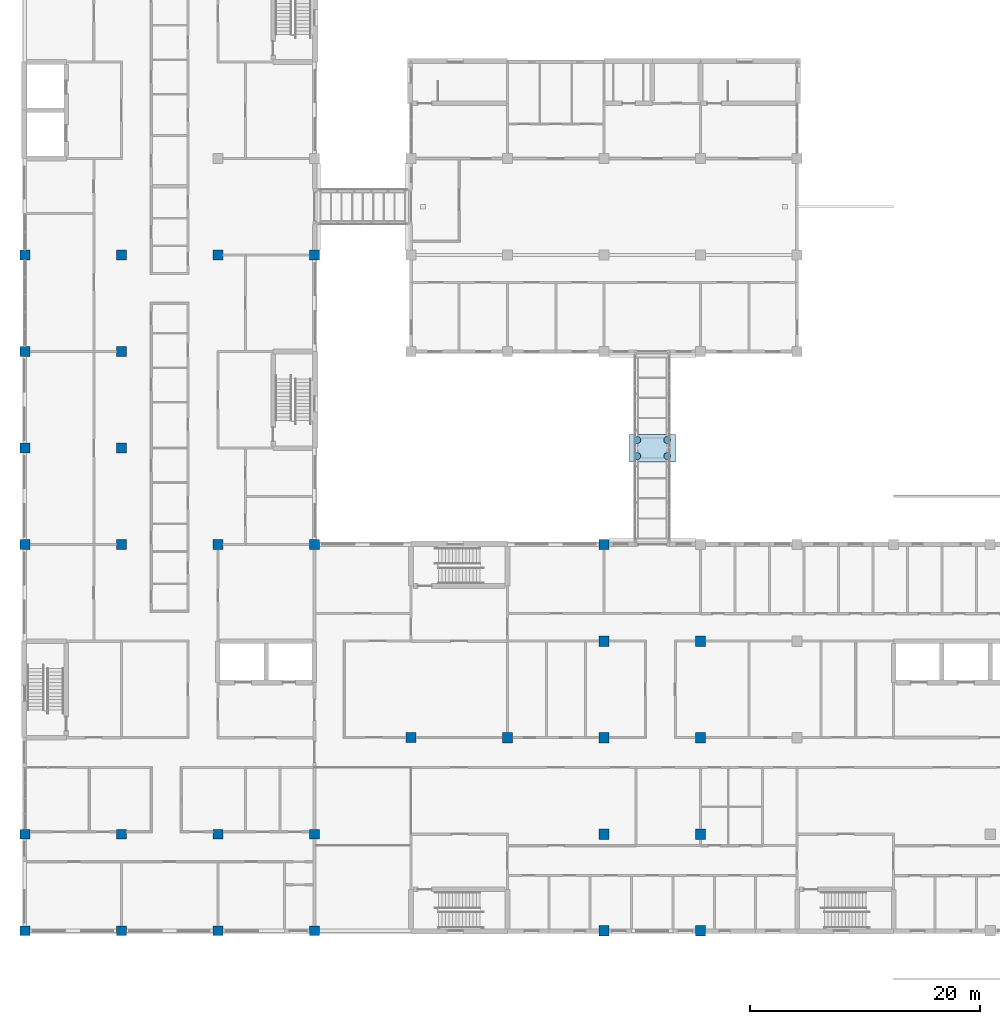
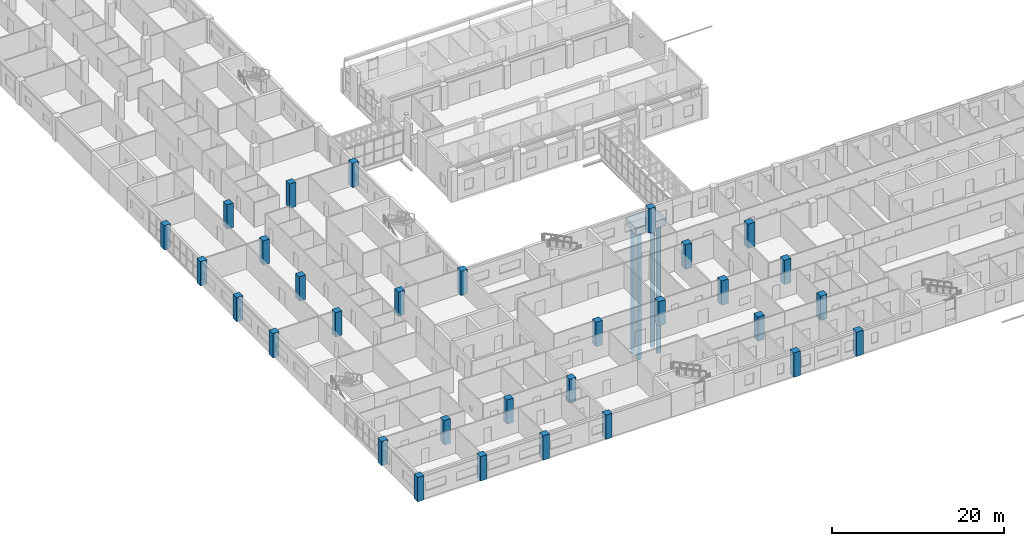
# One storey, part 1 of 94: 31 columns, 4 piles, 1 footing.
"""IFC4 building model written with IfcOpenShell, lengths in metres."""

from ifc_helpers import new_model, si_unit, direction, frame, origin, origin_2d, place, context, subcontext, project, spatial, rectangle, circle, extrude, material, material_profile, profile_set, type_object, element, save


model = new_model("IFC4")

# Units and contexts
model_context = context("Model", 3, precision=1e-05, world=origin(), true_north=direction((0.0, 1.0)))
body_context = subcontext(model_context, "Body", "Model", "MODEL_VIEW")
ifc_project = project(units=[si_unit("LENGTHUNIT", "METRE"), si_unit("AREAUNIT", "SQUARE_METRE"), si_unit("VOLUMEUNIT", "CUBIC_METRE"), si_unit("PLANEANGLEUNIT", "RADIAN"), si_unit("MASSUNIT", "GRAM", prefix="KILO")], contexts=[model_context])

# Site, building, storey
site_placement = place(None, origin())
site = spatial("IfcSite", under=ifc_project, at=site_placement, CompositionType="ELEMENT")
building_placement = place(site_placement, origin())
building = spatial("IfcBuilding", under=site, at=building_placement, Name="Yavir Park General Hospital", CompositionType="ELEMENT")
storey_placement = place(building_placement, frame((0.0, 0.0, 4.5)))
storey = spatial("IfcBuildingStorey", under=building, at=storey_placement, Name="L01", CompositionType="ELEMENT", Elevation=4.5)

# Piles
ifc_material_1 = material(Name="Concrete C35/45", Category="concrete")
ifc_material_profile_1 = material_profile(ifc_material_1, circle(Radius=0.300048828125, at=origin_2d()), Name="D600")
ifc_profile_set_1 = profile_set([ifc_material_profile_1], Name="Concrete C35/45")
pile_type = type_object("IfcPileType", Name="BORED PILE D600", PredefinedType="BORED", material=ifc_profile_set_1)
for number, where, z_axis, x_axis, name in (
    (1, (53.300048828125, 41.300048828125, -5.800048828125), (0.0, 0.0, -1.0), (1.0, 0.0, 0.0), "P:BR_S:P0:0"),
    (2, (53.300048828125, 42.699951171875, -5.800048828125), (0.0, 0.0, -1.0), (1.0, 0.0, 0.0), "P:BR_S:P0:1"),
    (3, (55.89990234375, 41.300048828125, -5.800048828125), (0.0, 0.0, -1.0), (1.0, 0.0, 0.0), "P:BR_S:P0:2"),
    (4, (55.89990234375, 42.699951171875, -5.800048828125), (0.0, 0.0, -1.0), (1.0, 0.0, 0.0), "P:BR_S:P0:3"),
):
    element("IfcPile", number, at=place(storey_placement, frame(where, z_axis=z_axis, x_axis=x_axis)), inside=storey, type_object=pile_type, Name=name, PredefinedType="BORED", context=body_context, shape_type="SweptSolid", body=[
        extrude(circle(Radius=0.300048828125, at=origin_2d()), origin(), (0.0, 0.0, 1.0), 18.0),
    ])

# Footing
ifc_material_2 = material(Name="Concrete C35/45", Category="concrete")
footing_type = type_object("IfcFootingType", Name="PILE CAP BRIDGE PIER 4000x2400x1000", PredefinedType="PILE_CAP", material=ifc_material_2)
footing_placement = place(storey_placement, frame((54.60009765625, 42.0, -5.800048828125), z_axis=(0.0, 0.0, 1.0), x_axis=(1.0, 0.0, 0.0)))
element("IfcFooting", 5, at=footing_placement, inside=storey, type_object=footing_type, Name="F:BR_S:P0", PredefinedType="PILE_CAP", context=body_context, shape_type="SweptSolid", body=[
    extrude(rectangle(XDim=4.0, YDim=2.39990234375, at=origin_2d()), origin(), (0.0, 0.0, 1.0), 1.0),
])

# Columns
ifc_material_3 = material(Name="Concrete C40/50", Category="concrete")
ifc_material_profile_2 = material_profile(ifc_material_3, rectangle(XDim=0.85009765625, YDim=0.85009765625, at=origin_2d()), Name="RC850x850")
ifc_profile_set_2 = profile_set([ifc_material_profile_2], Name="Concrete C40/50")
column_type_1 = type_object("IfcColumnType", Name="RC COLUMN 850x850", PredefinedType="COLUMN", material=ifc_profile_set_2)
for number, where, z_axis, x_axis, name in (
    (6, (0.0, 0.0, 0.0), (0.0, 0.0, 1.0), (1.0, 0.0, 0.0), "C:L01:1A"),
    (7, (8.39990234375, 0.0, 0.0), (0.0, 0.0, 1.0), (1.0, 0.0, 0.0), "C:L01:2A"),
    (8, (16.800048828125, 0.0, 0.0), (0.0, 0.0, 1.0), (1.0, 0.0, 0.0), "C:L01:3A"),
    (9, (25.199951171875, 0.0, 0.0), (0.0, 0.0, 1.0), (1.0, 0.0, 0.0), "C:L01:4A"),
    (10, (0.0, 8.39990234375, 0.0), (0.0, 0.0, 1.0), (1.0, 0.0, 0.0), "C:L01:1B"),
    (11, (8.39990234375, 8.39990234375, 0.0), (0.0, 0.0, 1.0), (1.0, 0.0, 0.0), "C:L01:2B"),
    (12, (16.800048828125, 8.39990234375, 0.0), (0.0, 0.0, 1.0), (1.0, 0.0, 0.0), "C:L01:3B"),
    (13, (25.199951171875, 8.39990234375, 0.0), (0.0, 0.0, 1.0), (1.0, 0.0, 0.0), "C:L01:4B"),
    (14, (33.60009765625, 16.800048828125, 0.0), (0.0, 0.0, 1.0), (1.0, 0.0, 0.0), "C:L01:5C"),
    (15, (0.0, 33.60009765625, 0.0), (0.0, 0.0, 1.0), (1.0, 0.0, 0.0), "C:L01:1E"),
    (16, (8.39990234375, 33.60009765625, 0.0), (0.0, 0.0, 1.0), (1.0, 0.0, 0.0), "C:L01:2E"),
    (17, (16.800048828125, 33.60009765625, 0.0), (0.0, 0.0, 1.0), (1.0, 0.0, 0.0), "C:L01:3E"),
    (18, (25.199951171875, 33.60009765625, 0.0), (0.0, 0.0, 1.0), (1.0, 0.0, 0.0), "C:L01:4E"),
    (19, (50.39990234375, 33.60009765625, 0.0), (0.0, 0.0, 1.0), (1.0, 0.0, 0.0), "C:L01:7E"),
    (20, (0.0, 42.0, 0.0), (0.0, 0.0, 1.0), (1.0, 0.0, 0.0), "C:L01:1F"),
    (21, (8.39990234375, 42.0, 0.0), (0.0, 0.0, 1.0), (1.0, 0.0, 0.0), "C:L01:2F"),
    (22, (0.0, 50.39990234375, 0.0), (0.0, 0.0, 1.0), (1.0, 0.0, 0.0), "C:L01:1G"),
    (23, (8.39990234375, 50.39990234375, 0.0), (0.0, 0.0, 1.0), (1.0, 0.0, 0.0), "C:L01:2G"),
    (24, (0.0, 58.800048828125, 0.0), (0.0, 0.0, 1.0), (1.0, 0.0, 0.0), "C:L01:1H"),
    (25, (8.39990234375, 58.800048828125, 0.0), (0.0, 0.0, 1.0), (1.0, 0.0, 0.0), "C:L01:2H"),
    (26, (16.800048828125, 58.800048828125, 0.0), (0.0, 0.0, 1.0), (1.0, 0.0, 0.0), "C:L01:3H"),
    (27, (25.199951171875, 58.800048828125, 0.0), (0.0, 0.0, 1.0), (1.0, 0.0, 0.0), "C:L01:4H"),
):
    element("IfcColumn", number, at=place(storey_placement, frame(where, z_axis=z_axis, x_axis=x_axis)), inside=storey, type_object=column_type_1, Name=name, PredefinedType="COLUMN", context=body_context, shape_type="SweptSolid", body=[
        extrude(rectangle(XDim=0.85009765625, YDim=0.85009765625, at=origin_2d()), origin(), (0.0, 0.0, 1.0), 3.449951171875),
    ])
ifc_material_4 = material(Name="Concrete C40/50", Category="concrete")
ifc_material_profile_3 = material_profile(ifc_material_4, rectangle(XDim=0.89990234375, YDim=0.89990234375, at=origin_2d()), Name="RC900x900")
ifc_profile_set_3 = profile_set([ifc_material_profile_3], Name="Concrete C40/50")
column_type_2 = type_object("IfcColumnType", Name="RC COLUMN 900x900", PredefinedType="COLUMN", material=ifc_profile_set_3)
for number, where, z_axis, x_axis, name in (
    (28, (50.39990234375, 0.0, 0.0), (0.0, 0.0, 1.0), (1.0, 0.0, 0.0), "C:L01:7A"),
    (29, (58.800048828125, 0.0, 0.0), (0.0, 0.0, 1.0), (1.0, 0.0, 0.0), "C:L01:8A"),
    (30, (50.39990234375, 8.39990234375, 0.0), (0.0, 0.0, 1.0), (1.0, 0.0, 0.0), "C:L01:7B"),
    (31, (58.800048828125, 8.39990234375, 0.0), (0.0, 0.0, 1.0), (1.0, 0.0, 0.0), "C:L01:8B"),
    (32, (42.0, 16.800048828125, 0.0), (0.0, 0.0, 1.0), (1.0, 0.0, 0.0), "C:L01:6C"),
    (33, (50.39990234375, 16.800048828125, 0.0), (0.0, 0.0, 1.0), (1.0, 0.0, 0.0), "C:L01:7C"),
    (34, (58.800048828125, 16.800048828125, 0.0), (0.0, 0.0, 1.0), (1.0, 0.0, 0.0), "C:L01:8C"),
    (35, (50.39990234375, 25.199951171875, 0.0), (0.0, 0.0, 1.0), (1.0, 0.0, 0.0), "C:L01:7D"),
    (36, (58.800048828125, 25.199951171875, 0.0), (0.0, 0.0, 1.0), (1.0, 0.0, 0.0), "C:L01:8D"),
):
    element("IfcColumn", number, at=place(storey_placement, frame(where, z_axis=z_axis, x_axis=x_axis)), inside=storey, type_object=column_type_2, Name=name, PredefinedType="COLUMN", context=body_context, shape_type="SweptSolid", body=[
        extrude(rectangle(XDim=0.89990234375, YDim=0.89990234375, at=origin_2d()), origin(), (0.0, 0.0, 1.0), 3.449951171875),
    ])

save(model, "model.ifc")
